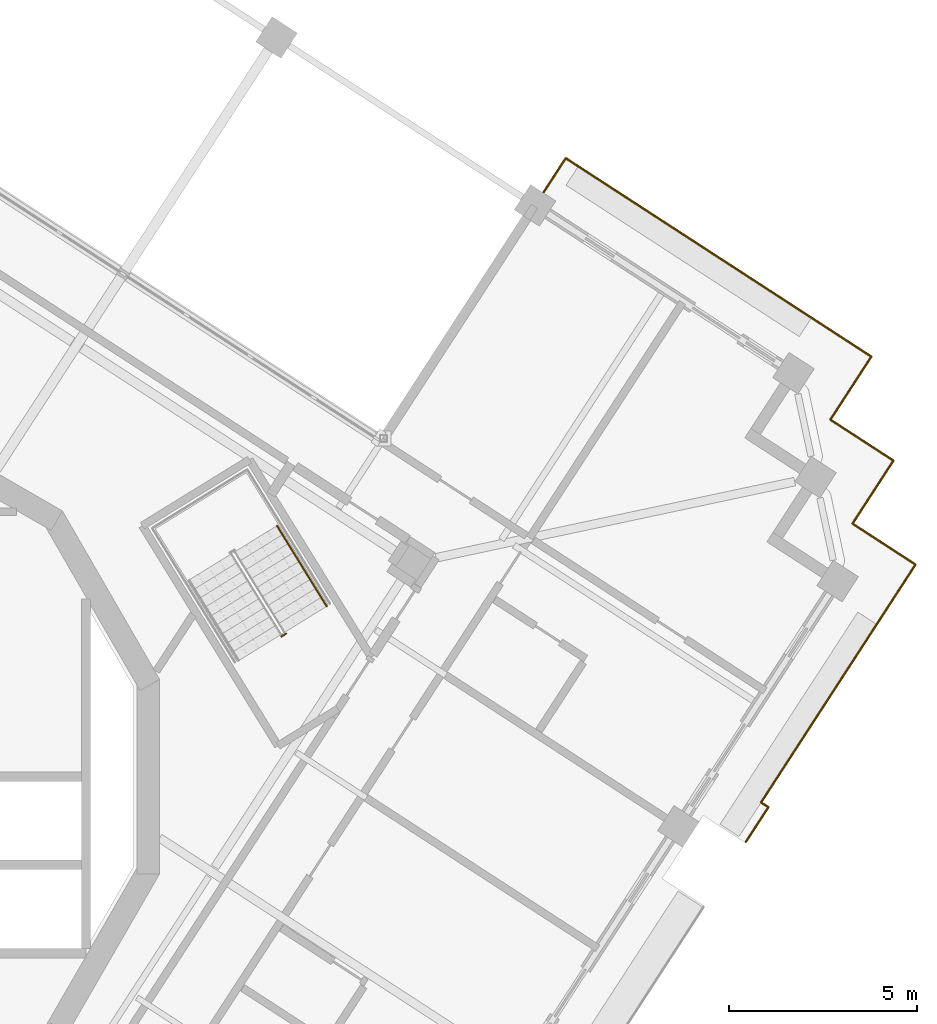
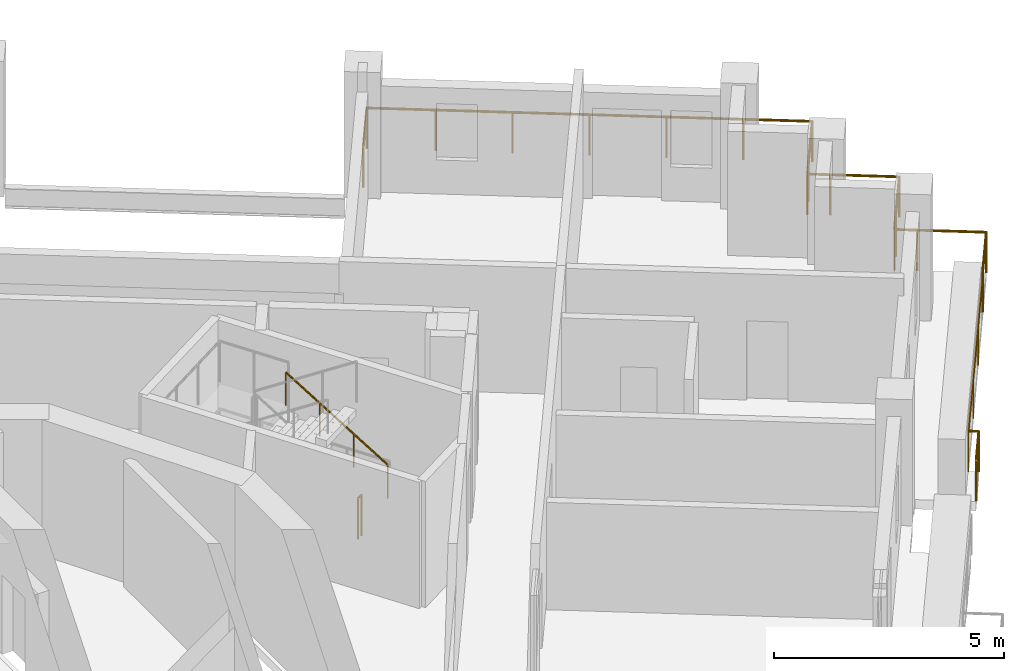
# One storey, part 16 of 17: 4 railings.
"""IFC4 building model written with IfcOpenShell, lengths in metres."""

from ifc_helpers import new_model, si_unit, direction, frame, origin, origin_2d, place, context, subcontext, project, spatial, circle, extrude, material, type_object, element, save


model = new_model("IFC4")

# Units and contexts
model_context = context("Model", 3, precision=1e-05, world=origin(), true_north=direction((0.0, 1.0)))
body_context = subcontext(model_context, "Body", "Model", "MODEL_VIEW")
ifc_project = project(units=[si_unit("LENGTHUNIT", "METRE"), si_unit("AREAUNIT", "SQUARE_METRE"), si_unit("VOLUMEUNIT", "CUBIC_METRE"), si_unit("PLANEANGLEUNIT", "RADIAN"), si_unit("MASSUNIT", "GRAM", prefix="KILO")], contexts=[model_context])

# Site, building, storey
site_placement = place(None, origin())
site = spatial("IfcSite", under=ifc_project, at=site_placement, CompositionType="ELEMENT")
building_placement = place(site_placement, origin())
building = spatial("IfcBuilding", under=site, at=building_placement, Name="Cantera Rosa Tower", CompositionType="ELEMENT")
storey_placement = place(building_placement, frame((0.0, 0.0, 275.699951171875)))
storey = spatial("IfcBuildingStorey", under=building, at=storey_placement, Name="L62", CompositionType="ELEMENT", Elevation=275.699951171875)

# Railings
ifc_material_1 = material(Name="Stainless steel and laminated glass", Category="steel")
railing_type_1 = type_object("IfcRailingType", Name="GUARD 1100", PredefinedType="BALUSTRADE", material=ifc_material_1)
railing_1_placement = place(storey_placement, frame((28.600830078125, 11.17578125, 0.0)))
element("IfcRailing", 1, at=railing_1_placement, inside=storey, type_object=railing_type_1, Name="GUARD L62-7", PredefinedType="BALUSTRADE", context=body_context, shape_type="SweptSolid", body=[
    extrude(circle(Radius=0.030029296875, at=origin_2d()), frame((0.0, 0.0, 1.070068359375), z_axis=(-0.544593548161, -0.8387001057, 0.0), x_axis=(0.8387001057, -0.544593548161, 0.0)), (0.0, 0.0, 1.0), 1.5),
    extrude(circle(Radius=0.030029296875, at=origin_2d()), frame((-0.81689453125, -1.258056640625, 1.070068359375), z_axis=(-0.544627753175, -0.83867789435, 0.0), x_axis=(0.83867789435, -0.544627753175, 0.0)), (0.0, 0.0, 1.0), 0.499755859375),
    extrude(circle(Radius=0.030029296875, at=origin_2d()), frame((-1.089111328125, -1.67724609375, 1.070068359375), z_axis=(0.838454772945, -0.544971186143, 0.0), x_axis=(0.544971186143, 0.838454772945, 0.0)), (0.0, 0.0, 1.0), 0.5),
    extrude(circle(Radius=0.030029296875, at=origin_2d()), frame((-0.669921875, -1.94970703125, 1.070068359375), z_axis=(0.8387001057, -0.544593548161, 0.0), x_axis=(0.544593548161, 0.8387001057, 0.0)), (0.0, 0.0, 1.0), 1.5),
    extrude(circle(Radius=0.030029296875, at=origin_2d()), frame((0.588134765625, -2.7666015625, 1.070068359375), z_axis=(-0.544593548161, -0.8387001057, 0.0), x_axis=(0.8387001057, -0.544593548161, 0.0)), (0.0, 0.0, 1.0), 1.5),
    extrude(circle(Radius=0.030029296875, at=origin_2d()), frame((-0.228759765625, -4.024658203125, 1.070068359375), z_axis=(-0.544627753175, -0.83867789435, 0.0), x_axis=(0.83867789435, -0.544627753175, 0.0)), (0.0, 0.0, 1.0), 0.499755859375),
    extrude(circle(Radius=0.030029296875, at=origin_2d()), frame((-0.5009765625, -4.44384765625, 1.070068359375), z_axis=(0.838454772945, -0.544971186143, 0.0), x_axis=(0.544971186143, 0.838454772945, 0.0)), (0.0, 0.0, 1.0), 0.5),
    extrude(circle(Radius=0.030029296875, at=origin_2d()), frame((-0.081787109375, -4.71630859375, 1.070068359375), z_axis=(0.8387001057, -0.544593548161, 0.0), x_axis=(0.544593548161, 0.8387001057, 0.0)), (0.0, 0.0, 1.0), 1.5),
    extrude(circle(Radius=0.030029296875, at=origin_2d()), frame((1.17626953125, -5.533203125, 1.070068359375), z_axis=(-0.544593548161, -0.8387001057, 0.0), x_axis=(0.8387001057, -0.544593548161, 0.0)), (0.0, 0.0, 1.0), 1.5),
    extrude(circle(Radius=0.030029296875, at=origin_2d()), frame((0.359375, -6.791259765625, 1.070068359375), z_axis=(-0.544663344191, -0.838654780881, 0.0), x_axis=(0.838654780881, -0.544663344191, 0.0)), (0.0, 0.0, 1.0), 6.047119140625),
    extrude(circle(Radius=0.030029296875, at=origin_2d()), frame((-2.934326171875, -11.86279296875, 1.070068359375), z_axis=(0.838922465859, -0.544250949726, 0.0), x_axis=(0.544250949726, 0.838922465859, 0.0)), (0.0, 0.0, 1.0), 0.23291015625),
    extrude(circle(Radius=0.030029296875, at=origin_2d()), frame((-2.739013671875, -11.989501953125, 1.070068359375), z_axis=(-0.544544776957, -0.838731772314, 0.0), x_axis=(0.838731772314, -0.544544776957, 0.0)), (0.0, 0.0, 1.0), 1.10302734375),
    extrude(circle(Radius=0.02490234375, at=origin_2d()), origin(), (0.0, 0.0, 1.0), 1.0400390625),
    extrude(circle(Radius=0.02490234375, at=origin_2d()), frame((-0.81689453125, -1.258056640625, 0.0)), (0.0, 0.0, 1.0), 1.0400390625),
    extrude(circle(Radius=0.02490234375, at=origin_2d()), frame((-1.089111328125, -1.67724609375, 0.0)), (0.0, 0.0, 1.0), 1.0400390625),
    extrude(circle(Radius=0.02490234375, at=origin_2d()), frame((-0.669921875, -1.94970703125, 0.0)), (0.0, 0.0, 1.0), 1.0400390625),
    extrude(circle(Radius=0.02490234375, at=origin_2d()), frame((0.588134765625, -2.7666015625, 0.0)), (0.0, 0.0, 1.0), 1.0400390625),
    extrude(circle(Radius=0.02490234375, at=origin_2d()), frame((-0.228759765625, -4.024658203125, 0.0)), (0.0, 0.0, 1.0), 1.0400390625),
    extrude(circle(Radius=0.02490234375, at=origin_2d()), frame((-0.5009765625, -4.44384765625, 0.0)), (0.0, 0.0, 1.0), 1.0400390625),
    extrude(circle(Radius=0.02490234375, at=origin_2d()), frame((-0.081787109375, -4.71630859375, 0.0)), (0.0, 0.0, 1.0), 1.0400390625),
    extrude(circle(Radius=0.02490234375, at=origin_2d()), frame((1.17626953125, -5.533203125, 0.0)), (0.0, 0.0, 1.0), 1.0400390625),
    extrude(circle(Radius=0.02490234375, at=origin_2d()), frame((0.359375, -6.791259765625, 0.0)), (0.0, 0.0, 1.0), 1.0400390625),
    extrude(circle(Radius=0.02490234375, at=origin_2d()), frame((-0.738525390625, -8.481689453125, 0.0)), (0.0, 0.0, 1.0), 1.0400390625),
    extrude(circle(Radius=0.02490234375, at=origin_2d()), frame((-1.83642578125, -10.17236328125, 0.0)), (0.0, 0.0, 1.0), 1.0400390625),
    extrude(circle(Radius=0.02490234375, at=origin_2d()), frame((-2.934326171875, -11.86279296875, 0.0)), (0.0, 0.0, 1.0), 1.0400390625),
    extrude(circle(Radius=0.02490234375, at=origin_2d()), frame((-2.739013671875, -11.989501953125, 0.0)), (0.0, 0.0, 1.0), 1.0400390625),
    extrude(circle(Radius=0.02490234375, at=origin_2d()), frame((-3.339599609375, -12.91455078125, 0.0)), (0.0, 0.0, 1.0), 1.0400390625),
])
railing_2_placement = place(storey_placement, frame((19.65966796875, 15.217529296875, 0.0)))
element("IfcRailing", 2, at=railing_2_placement, inside=storey, type_object=railing_type_1, Name="GUARD L62-8", PredefinedType="BALUSTRADE", context=body_context, shape_type="SweptSolid", body=[
    extrude(circle(Radius=0.030029296875, at=origin_2d()), frame((0.0, 0.0, 1.070068359375), z_axis=(0.544686812896, 0.838639538692, 0.0), x_axis=(-0.838639538692, 0.544686812896, 0.0)), (0.0, 0.0, 1.0), 1.47998046875),
    extrude(circle(Radius=0.030029296875, at=origin_2d()), frame((0.80615234375, 1.2412109375, 1.070068359375), z_axis=(0.8387001057, -0.544593548161, 0.0), x_axis=(0.544593548161, 0.8387001057, 0.0)), (0.0, 0.0, 1.0), 1.5),
    extrude(circle(Radius=0.030029296875, at=origin_2d()), frame((2.064208984375, 0.42431640625, 1.070068359375), z_axis=(0.838666659313, -0.544645053734, 0.0), x_axis=(0.544645053734, 0.838666659313, 0.0)), (0.0, 0.0, 1.0), 6.7001953125),
    extrude(circle(Radius=0.030029296875, at=origin_2d()), frame((7.683349609375, -3.224853515625, 1.070068359375), z_axis=(0.838651824232, -0.544667896716, 0.0), x_axis=(0.544667896716, 0.838651824232, 0.0)), (0.0, 0.0, 1.0), 1.499755859375),
    extrude(circle(Radius=0.02490234375, at=origin_2d()), origin(), (0.0, 0.0, 1.0), 1.0400390625),
    extrude(circle(Radius=0.02490234375, at=origin_2d()), frame((0.80615234375, 1.2412109375, 0.0)), (0.0, 0.0, 1.0), 1.0400390625),
    extrude(circle(Radius=0.02490234375, at=origin_2d()), frame((2.064208984375, 0.42431640625, 0.0)), (0.0, 0.0, 1.0), 1.0400390625),
    extrude(circle(Radius=0.02490234375, at=origin_2d()), frame((3.468994140625, -0.488037109375, 0.0)), (0.0, 0.0, 1.0), 1.0400390625),
    extrude(circle(Radius=0.02490234375, at=origin_2d()), frame((4.873779296875, -1.400390625, 0.0)), (0.0, 0.0, 1.0), 1.0400390625),
    extrude(circle(Radius=0.02490234375, at=origin_2d()), frame((6.278564453125, -2.3125, 0.0)), (0.0, 0.0, 1.0), 1.0400390625),
    extrude(circle(Radius=0.02490234375, at=origin_2d()), frame((7.683349609375, -3.224853515625, 0.0)), (0.0, 0.0, 1.0), 1.0400390625),
    extrude(circle(Radius=0.02490234375, at=origin_2d()), frame((8.941162109375, -4.041748046875, 0.0)), (0.0, 0.0, 1.0), 1.0400390625),
])
ifc_material_2 = material(Name="Steel S355J2 (EN 10025-2)", Category="steel")
railing_type_2 = type_object("IfcRailingType", Name="STAIR GUARD 1100", PredefinedType="GUARDRAIL", material=ifc_material_2)
railing_3_placement = place(storey_placement, frame((13.025146484375, 3.80517578125, 0.0)))
element("IfcRailing", 3, at=railing_3_placement, inside=storey, type_object=railing_type_2, Name="L62 ST-51 stair guard 3", PredefinedType="GUARDRAIL", context=body_context, shape_type="SweptSolid", body=[
    extrude(circle(Radius=0.02392578125, at=origin_2d()), frame((0.0, 0.0, 1.076171875), z_axis=(-0.851546489876, -0.524279100842, 0.0), x_axis=(0.524279100842, -0.851546489876, 0.0)), (0.0, 0.0, 1.0), 0.14990234375),
    extrude(circle(Radius=0.02099609375, at=origin_2d()), origin(), (0.0, 0.0, 1.0), 1.052001953125),
    extrude(circle(Radius=0.02099609375, at=origin_2d()), frame((-0.127685546875, -0.07861328125, 0.0)), (0.0, 0.0, 1.0), 1.052001953125),
])
ifc_material_3 = material(Name="Steel S355J2 (EN 10025-2)", Category="steel")
railing_type_3 = type_object("IfcRailingType", Name="STAIR HANDRAIL 900", PredefinedType="HANDRAIL", material=ifc_material_3)
railing_4_placement = place(storey_placement, frame((14.105224609375, 4.5302734375, 0.179931640625)))
element("IfcRailing", 4, at=railing_4_placement, inside=storey, type_object=railing_type_3, Name="L62 ST-51 stair handrail 1", PredefinedType="HANDRAIL", context=body_context, shape_type="SweptSolid", body=[
    extrude(circle(Radius=0.02392578125, at=origin_2d()), frame((0.0, 0.0, 0.8759765625), z_axis=(-0.441609067481, 0.715913574058, 0.540785711718), x_axis=(-0.851102330005, -0.524999832248, 0.0)), (0.0, 0.0, 1.0), 2.995849609375),
    extrude(circle(Radius=0.02099609375, at=origin_2d()), origin(), (0.0, 0.0, 1.0), 0.851806640625),
    extrude(circle(Radius=0.02099609375, at=origin_2d()), frame((-0.44091796875, 0.71484375, 0.5400390625)), (0.0, 0.0, 1.0), 0.851806640625),
    extrude(circle(Radius=0.02099609375, at=origin_2d()), frame((-0.882080078125, 1.429931640625, 1.080078125)), (0.0, 0.0, 1.0), 0.851806640625),
    extrude(circle(Radius=0.02099609375, at=origin_2d()), frame((-1.322998046875, 2.144775390625, 1.6201171875)), (0.0, 0.0, 1.0), 0.851806640625),
])

save(model, "model.ifc")
